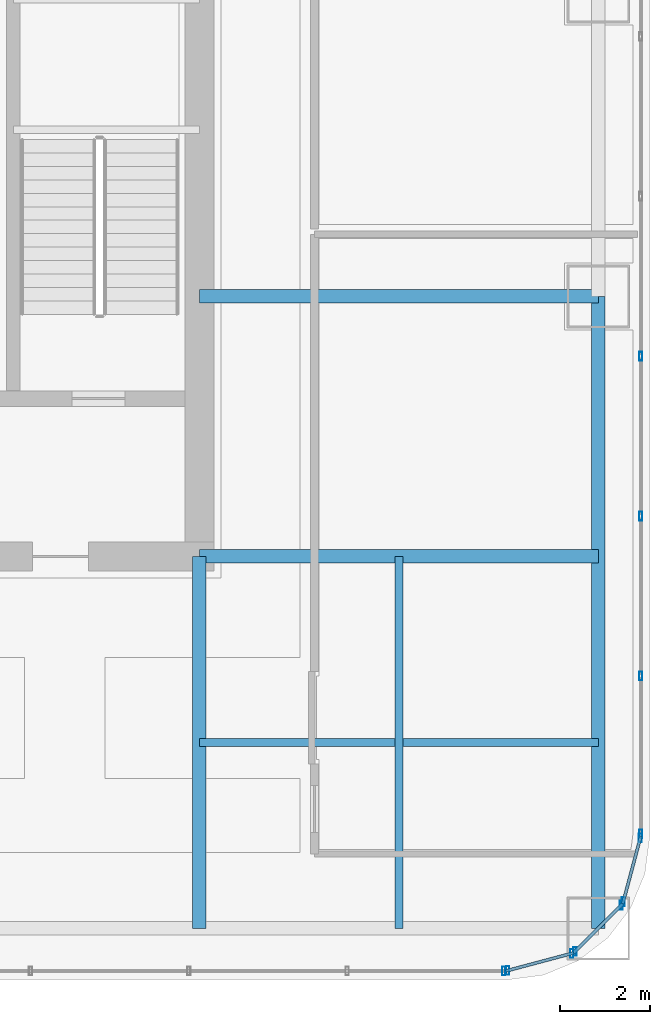
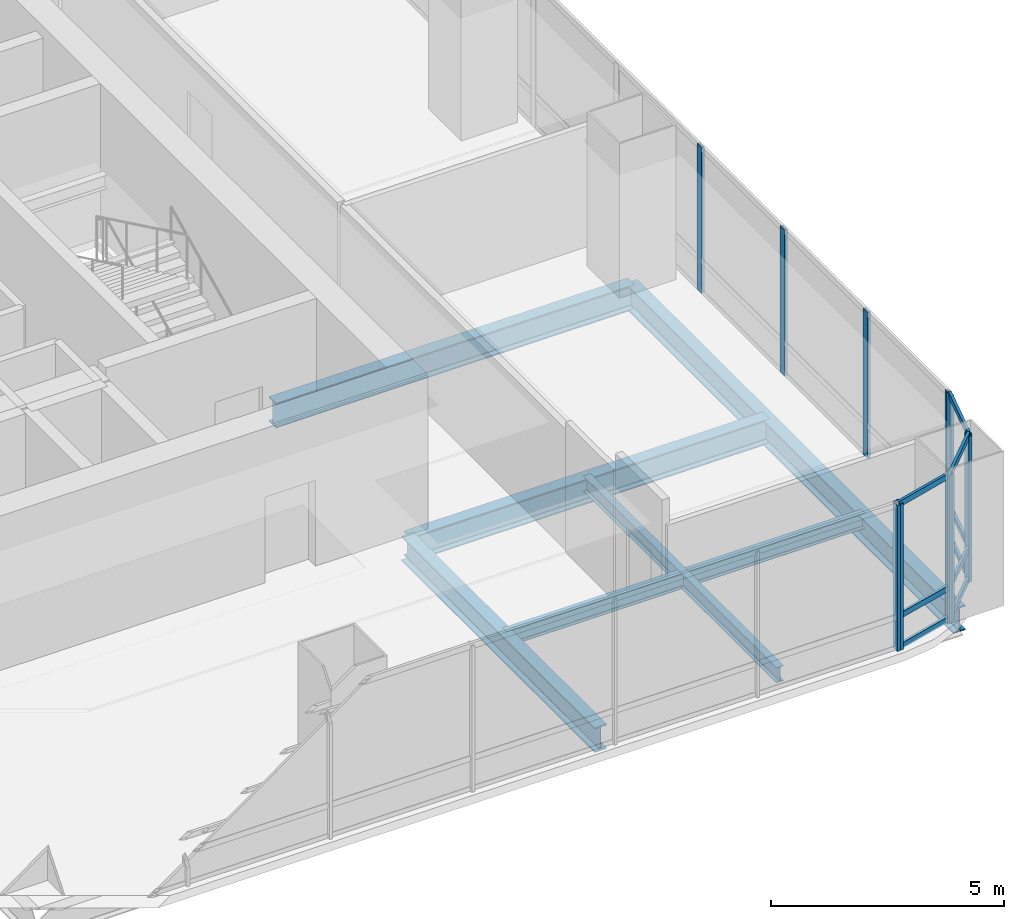
# One storey, part 15 of 38: 20 members, 6 beams, 5 elements without a shape of their own.
"""IFC4 building model written with IfcOpenShell, lengths in metres."""

from ifc_helpers import new_model, si_unit, direction, frame, origin, origin_2d, place, context, subcontext, project, spatial, hollow_rectangle, i_section, extrude, material, material_profile, profile_set, type_object, element, aggregate, save


model = new_model("IFC4")

# Units and contexts
model_context = context("Model", 3, precision=1e-05, world=origin(), true_north=direction((0.0, 1.0)))
body_context = subcontext(model_context, "Body", "Model", "MODEL_VIEW")
ifc_project = project(units=[si_unit("LENGTHUNIT", "METRE"), si_unit("AREAUNIT", "SQUARE_METRE"), si_unit("VOLUMEUNIT", "CUBIC_METRE"), si_unit("PLANEANGLEUNIT", "RADIAN"), si_unit("MASSUNIT", "GRAM", prefix="KILO")], contexts=[model_context])

# Site, building, storey
site_placement = place(None, origin())
site = spatial("IfcSite", under=ifc_project, at=site_placement, CompositionType="ELEMENT")
building_placement = place(site_placement, origin())
building = spatial("IfcBuilding", under=site, at=building_placement, Name="Punatoya Terracotta Tower", CompositionType="ELEMENT")
storey_placement = place(building_placement, frame((0.0, 0.0, 151.949951171875)))
storey = spatial("IfcBuildingStorey", under=building, at=storey_placement, Name="L35", CompositionType="ELEMENT", Elevation=151.949951171875)

# Beams
ifc_material_1 = material(Name="Steel S355", Category="steel")
ifc_material_profile_1 = material_profile(ifc_material_1, i_section(OverallWidth=0.300048828125, OverallDepth=0.64990234375, WebThickness=0.01611328125, FlangeThickness=0.031005859375, FilletRadius=0.01806640625, at=origin_2d()))
ifc_profile_set_1 = profile_set([ifc_material_profile_1], Name="Steel S355")
beam_type_1 = type_object("IfcBeamType", Name="BM-PRI-650", PredefinedType="BEAM", material=ifc_profile_set_1)
beam_1_placement = place(storey_placement, frame((19.10009765625, -17.5, -0.544921875), z_axis=(0.0, 1.0, 0.0), x_axis=(-1.0, 0.0, 0.0)))
element("IfcBeam", 1, at=beam_1_placement, inside=storey, type_object=beam_type_1, Name="BM-L35-RG-E1", PredefinedType="BEAM", context=body_context, shape_type="SweptSolid", body=[
    extrude(i_section(OverallWidth=0.300048828125, OverallDepth=0.64990234375, WebThickness=0.01611328125, FlangeThickness=0.031005859375, FilletRadius=0.01806640625, at=origin_2d()), origin(), (0.0, 0.0, 1.0), 14.10009765625),
])
for number, where, z_axis, x_axis, name in (
    (2, (10.199951171875, -9.199951171875, -0.544921875), (1.0, 0.0, 0.0), (0.0, 1.0, 0.0), "BM-L35-PR-ES"),
    (3, (10.199951171875, -3.39990234375, -0.544921875), (1.0, 0.0, 0.0), (0.0, 1.0, 0.0), "BM-L35-PR-ED"),
):
    element("IfcBeam", number, at=place(storey_placement, frame(where, z_axis=z_axis, x_axis=x_axis)), inside=storey, type_object=beam_type_1, Name=name, PredefinedType="BEAM", context=body_context, shape_type="SweptSolid", body=[
        extrude(i_section(OverallWidth=0.300048828125, OverallDepth=0.64990234375, WebThickness=0.01611328125, FlangeThickness=0.031005859375, FilletRadius=0.01806640625, at=origin_2d()), origin(), (0.0, 0.0, 1.0), 8.900146484375),
    ])
beam_2_placement = place(storey_placement, frame((10.199951171875, -17.5, -0.544921875), z_axis=(0.0, 1.0, 0.0), x_axis=(-1.0, 0.0, 0.0)))
element("IfcBeam", 4, at=beam_2_placement, inside=storey, type_object=beam_type_1, Name="BM-L35-PR-S4", PredefinedType="BEAM", context=body_context, shape_type="SweptSolid", body=[
    extrude(i_section(OverallWidth=0.300048828125, OverallDepth=0.64990234375, WebThickness=0.01611328125, FlangeThickness=0.031005859375, FilletRadius=0.01806640625, at=origin_2d()), origin(), (0.0, 0.0, 1.0), 8.300048828125),
])
ifc_material_profile_2 = material_profile(ifc_material_1, i_section(OverallWidth=0.179931640625, OverallDepth=0.39990234375, WebThickness=0.008544921875, FlangeThickness=0.013427734375, FilletRadius=0.01806640625, at=origin_2d()))
ifc_profile_set_2 = profile_set([ifc_material_profile_2], Name="Steel S355")
beam_type_2 = type_object("IfcBeamType", Name="BM-SEC-400", PredefinedType="JOIST", material=ifc_profile_set_2)
beam_3_placement = place(storey_placement, frame((10.199951171875, -13.35009765625, -0.419921875), z_axis=(1.0, 0.0, 0.0), x_axis=(0.0, 1.0, 0.0)))
element("IfcBeam", 5, at=beam_3_placement, inside=storey, type_object=beam_type_2, Name="BM-L35-SJS-2", PredefinedType="JOIST", context=body_context, shape_type="SweptSolid", body=[
    extrude(i_section(OverallWidth=0.179931640625, OverallDepth=0.39990234375, WebThickness=0.008544921875, FlangeThickness=0.013427734375, FilletRadius=0.01806640625, at=origin_2d()), origin(), (0.0, 0.0, 1.0), 8.900146484375),
])
beam_4_placement = place(storey_placement, frame((14.64990234375, -17.5, -0.419921875), z_axis=(0.0, 1.0, 0.0), x_axis=(-1.0, 0.0, 0.0)))
element("IfcBeam", 6, at=beam_4_placement, inside=storey, type_object=beam_type_2, Name="BM-L35-SJE-1", PredefinedType="JOIST", context=body_context, shape_type="SweptSolid", body=[
    extrude(i_section(OverallWidth=0.179931640625, OverallDepth=0.39990234375, WebThickness=0.008544921875, FlangeThickness=0.013427734375, FilletRadius=0.01806640625, at=origin_2d()), origin(), (0.0, 0.0, 1.0), 8.300048828125),
])

# Curtain wall, member
ifc_material_2 = material(Name="Aluminium 6063-T6 + Double Low-E Glass", Category="aluminium")
curtain_wall_type = type_object("IfcCurtainWallType", Name="CW-M2", PredefinedType="NOTDEFINED", material=ifc_material_2)
curtain_wall_1_placement = place(storey_placement, origin())
curtain_wall_1 = element("IfcCurtainWall", 7, at=curtain_wall_1_placement, inside=storey, type_object=curtain_wall_type, Name="L35 Curtain Wall CW-L35-S01-1", PredefinedType="NOTDEFINED")
ifc_material_3 = material(Name="Aluminium 6063-T6", Category="aluminium")
ifc_material_profile_3 = material_profile(ifc_material_3, hollow_rectangle(XDim=0.072021484375, YDim=0.195068359375, WallThickness=0.00439453125, at=origin_2d()))
ifc_profile_set_3 = profile_set([ifc_material_profile_3], Name="Aluminium 6063-T6")
member_type_1 = type_object("IfcMemberType", Name="CW-MUL-M2", PredefinedType="MULLION", material=ifc_profile_set_3)
member_1_placement = place(storey_placement, frame((16.991943359375, -18.449951171875, 0.0), z_axis=(0.0, 0.0, 1.0), x_axis=(1.0, 0.0, 0.0)))
member_1 = element("IfcMember", 8, at=member_1_placement, type_object=member_type_1, Name="CW-L35-S01-1 Mullion 11", PredefinedType="MULLION", context=body_context, shape_type="SweptSolid", body=[
    extrude(hollow_rectangle(XDim=0.072021484375, YDim=0.195068359375, WallThickness=0.00439453125, at=origin_2d()), origin(), (0.0, 0.0, 1.0), 3.830078125),
])
aggregate(curtain_wall_1, [member_1])

# Curtain wall, members
curtain_wall_2_placement = place(storey_placement, origin())
curtain_wall_2 = element("IfcCurtainWall", 9, at=curtain_wall_2_placement, inside=storey, type_object=curtain_wall_type, Name="L35 Curtain Wall CW-L35-CRN02", PredefinedType="NOTDEFINED")
member_2_placement = place(storey_placement, frame((17.080322265625, -18.4384765625, 0.0), z_axis=(0.0, 0.0, 1.0), x_axis=(1.0, 0.0, 0.0)))
member_2 = element("IfcMember", 10, at=member_2_placement, type_object=member_type_1, Name="CW-L35-CRN02 Mullion 00", PredefinedType="MULLION", context=body_context, shape_type="SweptSolid", body=[
    extrude(hollow_rectangle(XDim=0.072021484375, YDim=0.195068359375, WallThickness=0.00439453125, at=origin_2d()), origin(), (0.0, 0.0, 1.0), 3.830078125),
])
member_3_placement = place(storey_placement, frame((18.505615234375, -18.05810546875, 0.0), z_axis=(0.0, 0.0, 1.0), x_axis=(1.0, 0.0, 0.0)))
member_3 = element("IfcMember", 11, at=member_3_placement, type_object=member_type_1, Name="CW-L35-CRN02 Mullion 01", PredefinedType="MULLION", context=body_context, shape_type="SweptSolid", body=[
    extrude(hollow_rectangle(XDim=0.072021484375, YDim=0.195068359375, WallThickness=0.00439453125, at=origin_2d()), origin(), (0.0, 0.0, 1.0), 3.830078125),
])

curtain_wall_3_placement = place(storey_placement, origin())
curtain_wall_3 = element("IfcCurtainWall", 12, at=curtain_wall_3_placement, inside=storey, type_object=curtain_wall_type, Name="L35 Curtain Wall CW-L35-CRN03", PredefinedType="NOTDEFINED")
member_4_placement = place(storey_placement, frame((18.580810546875, -18.014892578125, 0.0), z_axis=(0.0, 0.0, 1.0), x_axis=(1.0, 0.0, 0.0)))
member_4 = element("IfcMember", 13, at=member_4_placement, type_object=member_type_1, Name="CW-L35-CRN03 Mullion 00", PredefinedType="MULLION", context=body_context, shape_type="SweptSolid", body=[
    extrude(hollow_rectangle(XDim=0.072021484375, YDim=0.195068359375, WallThickness=0.00439453125, at=origin_2d()), origin(), (0.0, 0.0, 1.0), 3.830078125),
])
member_5_placement = place(storey_placement, frame((19.61474609375, -16.98095703125, 0.0), z_axis=(0.0, 0.0, 1.0), x_axis=(1.0, 0.0, 0.0)))
member_5 = element("IfcMember", 14, at=member_5_placement, type_object=member_type_1, Name="CW-L35-CRN03 Mullion 01", PredefinedType="MULLION", context=body_context, shape_type="SweptSolid", body=[
    extrude(hollow_rectangle(XDim=0.072021484375, YDim=0.195068359375, WallThickness=0.00439453125, at=origin_2d()), origin(), (0.0, 0.0, 1.0), 3.830078125),
])

curtain_wall_4_placement = place(storey_placement, origin())
curtain_wall_4 = element("IfcCurtainWall", 15, at=curtain_wall_4_placement, inside=storey, type_object=curtain_wall_type, Name="L35 Curtain Wall CW-L35-CRN04", PredefinedType="NOTDEFINED")
member_6_placement = place(storey_placement, frame((19.658203125, -16.905517578125, 0.0), z_axis=(0.0, 0.0, 1.0), x_axis=(1.0, 0.0, 0.0)))
member_6 = element("IfcMember", 16, at=member_6_placement, type_object=member_type_1, Name="CW-L35-CRN04 Mullion 00", PredefinedType="MULLION", context=body_context, shape_type="SweptSolid", body=[
    extrude(hollow_rectangle(XDim=0.072021484375, YDim=0.195068359375, WallThickness=0.00439453125, at=origin_2d()), origin(), (0.0, 0.0, 1.0), 3.830078125),
])
member_7_placement = place(storey_placement, frame((20.038330078125, -15.48046875, 0.0), z_axis=(0.0, 0.0, 1.0), x_axis=(1.0, 0.0, 0.0)))
member_7 = element("IfcMember", 17, at=member_7_placement, type_object=member_type_1, Name="CW-L35-CRN04 Mullion 01", PredefinedType="MULLION", context=body_context, shape_type="SweptSolid", body=[
    extrude(hollow_rectangle(XDim=0.072021484375, YDim=0.195068359375, WallThickness=0.00439453125, at=origin_2d()), origin(), (0.0, 0.0, 1.0), 3.830078125),
])

curtain_wall_5_placement = place(storey_placement, origin())
curtain_wall_5 = element("IfcCurtainWall", 18, at=curtain_wall_5_placement, inside=storey, type_object=curtain_wall_type, Name="L35 Curtain Wall CW-L35-E05-1", PredefinedType="NOTDEFINED")
member_8_placement = place(storey_placement, frame((20.050048828125, -15.391845703125, 0.0), z_axis=(0.0, 0.0, 1.0), x_axis=(1.0, 0.0, 0.0)))
member_8 = element("IfcMember", 19, at=member_8_placement, type_object=member_type_1, Name="CW-L35-E05-1 Mullion 00", PredefinedType="MULLION", context=body_context, shape_type="SweptSolid", body=[
    extrude(hollow_rectangle(XDim=0.072021484375, YDim=0.195068359375, WallThickness=0.00439453125, at=origin_2d()), origin(), (0.0, 0.0, 1.0), 3.830078125),
])
member_9_placement = place(storey_placement, frame((20.050048828125, -11.869384765625, 0.0), z_axis=(0.0, 0.0, 1.0), x_axis=(1.0, 0.0, 0.0)))
member_9 = element("IfcMember", 20, at=member_9_placement, type_object=member_type_1, Name="CW-L35-E05-1 Mullion 01", PredefinedType="MULLION", context=body_context, shape_type="SweptSolid", body=[
    extrude(hollow_rectangle(XDim=0.072021484375, YDim=0.195068359375, WallThickness=0.00439453125, at=origin_2d()), origin(), (0.0, 0.0, 1.0), 3.830078125),
])
member_10_placement = place(storey_placement, frame((20.050048828125, -8.302001953125, 0.0), z_axis=(0.0, 0.0, 1.0), x_axis=(1.0, 0.0, 0.0)))
member_10 = element("IfcMember", 21, at=member_10_placement, type_object=member_type_1, Name="CW-L35-E05-1 Mullion 02", PredefinedType="MULLION", context=body_context, shape_type="SweptSolid", body=[
    extrude(hollow_rectangle(XDim=0.072021484375, YDim=0.195068359375, WallThickness=0.00439453125, at=origin_2d()), origin(), (0.0, 0.0, 1.0), 3.830078125),
])
member_11_placement = place(storey_placement, frame((20.050048828125, -4.73486328125, 0.0), z_axis=(0.0, 0.0, 1.0), x_axis=(1.0, 0.0, 0.0)))
member_11 = element("IfcMember", 22, at=member_11_placement, type_object=member_type_1, Name="CW-L35-E05-1 Mullion 03", PredefinedType="MULLION", context=body_context, shape_type="SweptSolid", body=[
    extrude(hollow_rectangle(XDim=0.072021484375, YDim=0.195068359375, WallThickness=0.00439453125, at=origin_2d()), origin(), (0.0, 0.0, 1.0), 3.830078125),
])
aggregate(curtain_wall_5, [member_8, member_9, member_10, member_11])

# Member
ifc_material_profile_4 = material_profile(ifc_material_3, hollow_rectangle(XDim=0.068115234375, YDim=0.14990234375, WallThickness=0.00390625, at=origin_2d()))
ifc_profile_set_4 = profile_set([ifc_material_profile_4], Name="Aluminium 6063-T6")
member_type_2 = type_object("IfcMemberType", Name="CW-TRN-TYP", PredefinedType="USERDEFINED", material=ifc_profile_set_4)
member_12_placement = place(storey_placement, frame((17.036865234375, -18.449951171875, 0.0400390625), z_axis=(0.966224582397, 0.257701486942, 0.0), x_axis=(-0.257701486942, 0.966224582397, 0.0)))
member_12 = element("IfcMember", 23, at=member_12_placement, type_object=member_type_2, Name="CW-L35-CRN02 Transom 1", ObjectType="TRANSOM", PredefinedType="USERDEFINED", context=body_context, shape_type="SweptSolid", body=[
    extrude(hollow_rectangle(XDim=0.068115234375, YDim=0.14990234375, WallThickness=0.00390625, at=origin_2d()), origin(), (0.0, 0.0, 1.0), 1.565185546875),
])

member_13_placement = place(storey_placement, frame((17.036865234375, -18.449951171875, 0.85009765625), z_axis=(0.966224582397, 0.257701486942, 0.0), x_axis=(-0.257701486942, 0.966224582397, 0.0)))
member_13 = element("IfcMember", 24, at=member_13_placement, type_object=member_type_2, Name="CW-L35-CRN02 Transom 2", ObjectType="TRANSOM", PredefinedType="USERDEFINED", context=body_context, shape_type="SweptSolid", body=[
    extrude(hollow_rectangle(XDim=0.068115234375, YDim=0.14990234375, WallThickness=0.00390625, at=origin_2d()), origin(), (0.0, 0.0, 1.0), 1.565185546875),
])

member_14_placement = place(storey_placement, frame((17.036865234375, -18.449951171875, 3.7900390625), z_axis=(0.966224582397, 0.257701486942, 0.0), x_axis=(-0.257701486942, 0.966224582397, 0.0)))
member_14 = element("IfcMember", 25, at=member_14_placement, type_object=member_type_2, Name="CW-L35-CRN02 Transom 3", ObjectType="TRANSOM", PredefinedType="USERDEFINED", context=body_context, shape_type="SweptSolid", body=[
    extrude(hollow_rectangle(XDim=0.068115234375, YDim=0.14990234375, WallThickness=0.00390625, at=origin_2d()), origin(), (0.0, 0.0, 1.0), 1.565185546875),
])

aggregate(curtain_wall_2, [member_2, member_3, member_12, member_13, member_14])

member_15_placement = place(storey_placement, frame((18.549072265625, -18.046630859375, 0.0400390625), z_axis=(0.707106781187, 0.707106781187, 0.0), x_axis=(-0.707106781187, 0.707106781187, 0.0)))
member_15 = element("IfcMember", 26, at=member_15_placement, type_object=member_type_2, Name="CW-L35-CRN03 Transom 1", ObjectType="TRANSOM", PredefinedType="USERDEFINED", context=body_context, shape_type="SweptSolid", body=[
    extrude(hollow_rectangle(XDim=0.068115234375, YDim=0.14990234375, WallThickness=0.00390625, at=origin_2d()), origin(), (0.0, 0.0, 1.0), 1.552001953125),
])

member_16_placement = place(storey_placement, frame((18.549072265625, -18.046630859375, 0.85009765625), z_axis=(0.707106781187, 0.707106781187, 0.0), x_axis=(-0.707106781187, 0.707106781187, 0.0)))
member_16 = element("IfcMember", 27, at=member_16_placement, type_object=member_type_2, Name="CW-L35-CRN03 Transom 2", ObjectType="TRANSOM", PredefinedType="USERDEFINED", context=body_context, shape_type="SweptSolid", body=[
    extrude(hollow_rectangle(XDim=0.068115234375, YDim=0.14990234375, WallThickness=0.00390625, at=origin_2d()), origin(), (0.0, 0.0, 1.0), 1.552001953125),
])

member_17_placement = place(storey_placement, frame((18.549072265625, -18.046630859375, 3.7900390625), z_axis=(0.707106781187, 0.707106781187, 0.0), x_axis=(-0.707106781187, 0.707106781187, 0.0)))
member_17 = element("IfcMember", 28, at=member_17_placement, type_object=member_type_2, Name="CW-L35-CRN03 Transom 3", ObjectType="TRANSOM", PredefinedType="USERDEFINED", context=body_context, shape_type="SweptSolid", body=[
    extrude(hollow_rectangle(XDim=0.068115234375, YDim=0.14990234375, WallThickness=0.00390625, at=origin_2d()), origin(), (0.0, 0.0, 1.0), 1.552001953125),
])

aggregate(curtain_wall_3, [member_4, member_5, member_15, member_16, member_17])

member_18_placement = place(storey_placement, frame((19.646484375, -16.94921875, 0.0400390625), z_axis=(0.257847112249, 0.966185730957, 0.0), x_axis=(-0.966185730957, 0.257847112249, 0.0)))
member_18 = element("IfcMember", 29, at=member_18_placement, type_object=member_type_2, Name="CW-L35-CRN04 Transom 1", ObjectType="TRANSOM", PredefinedType="USERDEFINED", context=body_context, shape_type="SweptSolid", body=[
    extrude(hollow_rectangle(XDim=0.068115234375, YDim=0.14990234375, WallThickness=0.00390625, at=origin_2d()), origin(), (0.0, 0.0, 1.0), 1.565185546875),
])

member_19_placement = place(storey_placement, frame((19.646484375, -16.94921875, 0.85009765625), z_axis=(0.257847112249, 0.966185730957, 0.0), x_axis=(-0.966185730957, 0.257847112249, 0.0)))
member_19 = element("IfcMember", 30, at=member_19_placement, type_object=member_type_2, Name="CW-L35-CRN04 Transom 2", ObjectType="TRANSOM", PredefinedType="USERDEFINED", context=body_context, shape_type="SweptSolid", body=[
    extrude(hollow_rectangle(XDim=0.068115234375, YDim=0.14990234375, WallThickness=0.00390625, at=origin_2d()), origin(), (0.0, 0.0, 1.0), 1.565185546875),
])

member_20_placement = place(storey_placement, frame((19.646484375, -16.94921875, 3.7900390625), z_axis=(0.257847112249, 0.966185730957, 0.0), x_axis=(-0.966185730957, 0.257847112249, 0.0)))
member_20 = element("IfcMember", 31, at=member_20_placement, type_object=member_type_2, Name="CW-L35-CRN04 Transom 3", ObjectType="TRANSOM", PredefinedType="USERDEFINED", context=body_context, shape_type="SweptSolid", body=[
    extrude(hollow_rectangle(XDim=0.068115234375, YDim=0.14990234375, WallThickness=0.00390625, at=origin_2d()), origin(), (0.0, 0.0, 1.0), 1.565185546875),
])

aggregate(curtain_wall_4, [member_6, member_7, member_18, member_19, member_20])

save(model, "model.ifc")
